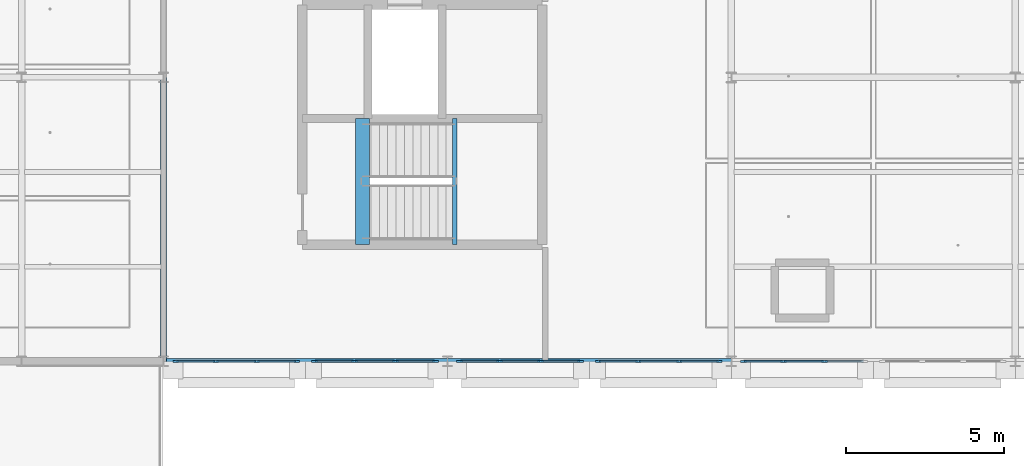
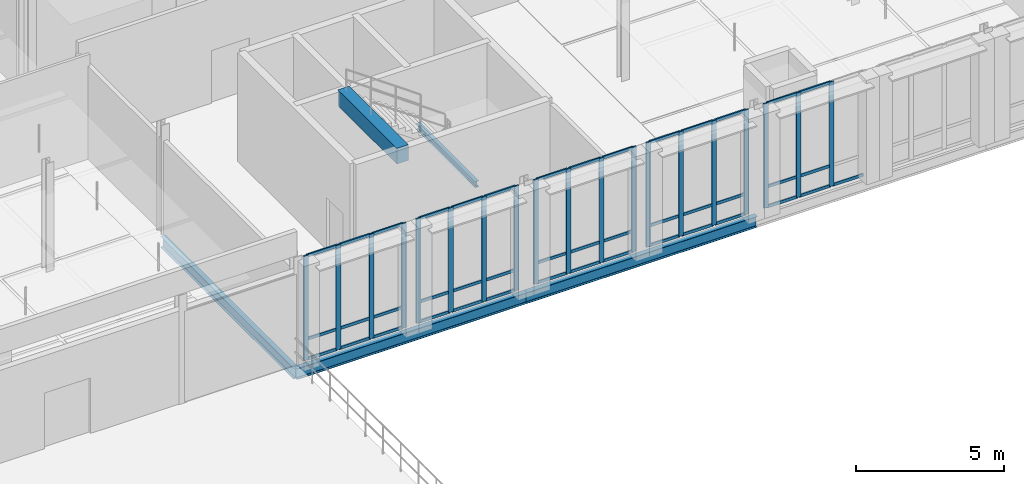
# One storey, part 25 of 89: 62 members, 5 beams, 5 elements without a shape of their own.
"""IFC4 building model written with IfcOpenShell, lengths in metres."""

from ifc_helpers import new_model, si_unit, direction, frame, origin, origin_2d, place, context, subcontext, project, spatial, rectangle, i_section, extrude, material, material_profile, profile_set, type_object, element, aggregate, save


model = new_model("IFC4")

# Units and contexts
model_context = context("Model", 3, precision=1e-05, world=origin(), true_north=direction((0.0, 1.0)))
body_context = subcontext(model_context, "Body", "Model", "MODEL_VIEW")
ifc_project = project(units=[si_unit("LENGTHUNIT", "METRE"), si_unit("AREAUNIT", "SQUARE_METRE"), si_unit("VOLUMEUNIT", "CUBIC_METRE"), si_unit("PLANEANGLEUNIT", "RADIAN"), si_unit("MASSUNIT", "GRAM", prefix="KILO"), si_unit("THERMODYNAMICTEMPERATUREUNIT", "KELVIN"), si_unit("POWERUNIT", "WATT")], contexts=[model_context])

# Site, building, storey
site_placement = place(None, origin())
site = spatial("IfcSite", under=ifc_project, at=site_placement, CompositionType="ELEMENT")
building_placement = place(site_placement, origin())
building = spatial("IfcBuilding", under=site, at=building_placement, Name="Tallowbark Science Centre", CompositionType="ELEMENT")
storey_placement = place(building_placement, frame((0.0, 0.0, 14.39990234375)))
storey = spatial("IfcBuildingStorey", under=building, at=storey_placement, Name="L03", CompositionType="ELEMENT", Elevation=14.39990234375)

# Beam
ifc_material_1 = material(Name="Concrete Grade N40 (40 MPa)", Category="concrete")
ifc_material_profile_1 = material_profile(ifc_material_1, rectangle(XDim=0.449951171875, YDim=0.64990234375, at=origin_2d()), Name="RC450x650")
ifc_profile_set_1 = profile_set([ifc_material_profile_1], Name="Concrete Grade N40 (40 MPa)")
beam_type_1 = type_object("IfcBeamType", Name="BM-GB2-N40", PredefinedType="BEAM", material=ifc_profile_set_1)
beam_1_placement = place(storey_placement, frame((118.81005859375, 75.699951171875, 4.175048828125), z_axis=(0.0, 1.0, 0.0), x_axis=(-1.0, 0.0, 0.0)))
element("IfcBeam", 1, at=beam_1_placement, inside=storey, type_object=beam_type_1, Name="Stair ST-02 Landing Nosing Beam L03", PredefinedType="BEAM", context=body_context, shape_type="SweptSolid", body=[
    extrude(rectangle(XDim=0.449951171875, YDim=0.64990234375, at=origin_2d()), origin(), (0.0, 0.0, 1.0), 3.9951171875),
])

# Curtain wall, members
ifc_material_2 = material(Name="Unitised Thermally Broken Aluminium and Low-E Double Glazing", Category="aluminium")
curtain_wall_type = type_object("IfcCurtainWallType", Name="CW-SYS-FACADE", PredefinedType="NOTDEFINED", material=ifc_material_2)
curtain_wall_1_placement = place(storey_placement, origin())
curtain_wall_1 = element("IfcCurtainWall", 2, at=curtain_wall_1_placement, inside=storey, type_object=curtain_wall_type, Name="Unitised Curtain Wall OBS-S-112A CW-L03-164", PredefinedType="NOTDEFINED")
ifc_material_3 = material(Name="Anodised Architectural Aluminium Alloy 6063-T6", Category="aluminium")
ifc_material_profile_2 = material_profile(ifc_material_3, rectangle(XDim=0.06494140625, YDim=0.179931640625, at=origin_2d()), Name="ALU65x180")
ifc_profile_set_2 = profile_set([ifc_material_profile_2], Name="Anodised Architectural Aluminium Alloy 6063-T6")
member_type_1 = type_object("IfcMemberType", Name="CWM-MUL-220", PredefinedType="MULLION", material=ifc_profile_set_2)
member_1_placement = place(storey_placement, frame((112.882568359375, 72.0, 0.0), z_axis=(0.0, 0.0, 1.0), x_axis=(0.0, 1.0, 0.0)))
member_1 = element("IfcMember", 3, at=member_1_placement, type_object=member_type_1, Name="CW-01 mullion 1", PredefinedType="MULLION", context=body_context, shape_type="SweptSolid", body=[
    extrude(rectangle(XDim=0.06494140625, YDim=0.179931640625, at=origin_2d()), origin(), (0.0, 0.0, 1.0), 4.320068359375),
])
member_2_placement = place(storey_placement, frame((114.14990234375, 72.0, 0.0), z_axis=(0.0, 0.0, 1.0), x_axis=(0.0, 1.0, 0.0)))
member_2 = element("IfcMember", 4, at=member_2_placement, type_object=member_type_1, Name="CW-01 mullion 2", PredefinedType="MULLION", context=body_context, shape_type="SweptSolid", body=[
    extrude(rectangle(XDim=0.06494140625, YDim=0.179931640625, at=origin_2d()), origin(), (0.0, 0.0, 1.0), 4.320068359375),
])
member_3_placement = place(storey_placement, frame((115.449951171875, 72.0, 0.0), z_axis=(0.0, 0.0, 1.0), x_axis=(0.0, 1.0, 0.0)))
member_3 = element("IfcMember", 5, at=member_3_placement, type_object=member_type_1, Name="CW-01 mullion 3", PredefinedType="MULLION", context=body_context, shape_type="SweptSolid", body=[
    extrude(rectangle(XDim=0.06494140625, YDim=0.179931640625, at=origin_2d()), origin(), (0.0, 0.0, 1.0), 4.320068359375),
])
member_4_placement = place(storey_placement, frame((116.717529296875, 72.0, 0.0), z_axis=(0.0, 0.0, 1.0), x_axis=(0.0, 1.0, 0.0)))
member_4 = element("IfcMember", 6, at=member_4_placement, type_object=member_type_1, Name="CW-01 mullion 4", PredefinedType="MULLION", context=body_context, shape_type="SweptSolid", body=[
    extrude(rectangle(XDim=0.06494140625, YDim=0.179931640625, at=origin_2d()), origin(), (0.0, 0.0, 1.0), 4.320068359375),
])

curtain_wall_2_placement = place(storey_placement, origin())
curtain_wall_2 = element("IfcCurtainWall", 7, at=curtain_wall_2_placement, inside=storey, type_object=curtain_wall_type, Name="Unitised Curtain Wall OBS-S-112B CW-L03-165", PredefinedType="NOTDEFINED")
member_5_placement = place(storey_placement, frame((117.282470703125, 72.0, 0.0), z_axis=(0.0, 0.0, 1.0), x_axis=(0.0, 1.0, 0.0)))
member_5 = element("IfcMember", 8, at=member_5_placement, type_object=member_type_1, Name="CW-01 mullion 1", PredefinedType="MULLION", context=body_context, shape_type="SweptSolid", body=[
    extrude(rectangle(XDim=0.06494140625, YDim=0.179931640625, at=origin_2d()), origin(), (0.0, 0.0, 1.0), 4.320068359375),
])
member_6_placement = place(storey_placement, frame((118.550048828125, 72.0, 0.0), z_axis=(0.0, 0.0, 1.0), x_axis=(0.0, 1.0, 0.0)))
member_6 = element("IfcMember", 9, at=member_6_placement, type_object=member_type_1, Name="CW-01 mullion 2", PredefinedType="MULLION", context=body_context, shape_type="SweptSolid", body=[
    extrude(rectangle(XDim=0.06494140625, YDim=0.179931640625, at=origin_2d()), origin(), (0.0, 0.0, 1.0), 4.320068359375),
])
member_7_placement = place(storey_placement, frame((119.85009765625, 72.0, 0.0), z_axis=(0.0, 0.0, 1.0), x_axis=(0.0, 1.0, 0.0)))
member_7 = element("IfcMember", 10, at=member_7_placement, type_object=member_type_1, Name="CW-01 mullion 3", PredefinedType="MULLION", context=body_context, shape_type="SweptSolid", body=[
    extrude(rectangle(XDim=0.06494140625, YDim=0.179931640625, at=origin_2d()), origin(), (0.0, 0.0, 1.0), 4.320068359375),
])
member_8_placement = place(storey_placement, frame((121.117431640625, 72.0, 0.0), z_axis=(0.0, 0.0, 1.0), x_axis=(0.0, 1.0, 0.0)))
member_8 = element("IfcMember", 11, at=member_8_placement, type_object=member_type_1, Name="CW-01 mullion 4", PredefinedType="MULLION", context=body_context, shape_type="SweptSolid", body=[
    extrude(rectangle(XDim=0.06494140625, YDim=0.179931640625, at=origin_2d()), origin(), (0.0, 0.0, 1.0), 4.320068359375),
])

curtain_wall_3_placement = place(storey_placement, origin())
curtain_wall_3 = element("IfcCurtainWall", 12, at=curtain_wall_3_placement, inside=storey, type_object=curtain_wall_type, Name="Unitised Curtain Wall OBS-S-121A CW-L03-168", PredefinedType="NOTDEFINED")
member_9_placement = place(storey_placement, frame((121.882568359375, 72.0, 0.0), z_axis=(0.0, 0.0, 1.0), x_axis=(0.0, 1.0, 0.0)))
member_9 = element("IfcMember", 13, at=member_9_placement, type_object=member_type_1, Name="CW-01 mullion 1", PredefinedType="MULLION", context=body_context, shape_type="SweptSolid", body=[
    extrude(rectangle(XDim=0.06494140625, YDim=0.179931640625, at=origin_2d()), origin(), (0.0, 0.0, 1.0), 4.320068359375),
])
member_10_placement = place(storey_placement, frame((123.14990234375, 72.0, 0.0), z_axis=(0.0, 0.0, 1.0), x_axis=(0.0, 1.0, 0.0)))
member_10 = element("IfcMember", 14, at=member_10_placement, type_object=member_type_1, Name="CW-01 mullion 2", PredefinedType="MULLION", context=body_context, shape_type="SweptSolid", body=[
    extrude(rectangle(XDim=0.06494140625, YDim=0.179931640625, at=origin_2d()), origin(), (0.0, 0.0, 1.0), 4.320068359375),
])
member_11_placement = place(storey_placement, frame((124.449951171875, 72.0, 0.0), z_axis=(0.0, 0.0, 1.0), x_axis=(0.0, 1.0, 0.0)))
member_11 = element("IfcMember", 15, at=member_11_placement, type_object=member_type_1, Name="CW-01 mullion 3", PredefinedType="MULLION", context=body_context, shape_type="SweptSolid", body=[
    extrude(rectangle(XDim=0.06494140625, YDim=0.179931640625, at=origin_2d()), origin(), (0.0, 0.0, 1.0), 4.320068359375),
])
member_12_placement = place(storey_placement, frame((125.717529296875, 72.0, 0.0), z_axis=(0.0, 0.0, 1.0), x_axis=(0.0, 1.0, 0.0)))
member_12 = element("IfcMember", 16, at=member_12_placement, type_object=member_type_1, Name="CW-01 mullion 4", PredefinedType="MULLION", context=body_context, shape_type="SweptSolid", body=[
    extrude(rectangle(XDim=0.06494140625, YDim=0.179931640625, at=origin_2d()), origin(), (0.0, 0.0, 1.0), 4.320068359375),
])

curtain_wall_4_placement = place(storey_placement, origin())
curtain_wall_4 = element("IfcCurtainWall", 17, at=curtain_wall_4_placement, inside=storey, type_object=curtain_wall_type, Name="Unitised Curtain Wall OBS-S-121B CW-L03-169", PredefinedType="NOTDEFINED")
member_13_placement = place(storey_placement, frame((126.282470703125, 72.0, 0.0), z_axis=(0.0, 0.0, 1.0), x_axis=(0.0, 1.0, 0.0)))
member_13 = element("IfcMember", 18, at=member_13_placement, type_object=member_type_1, Name="CW-01 mullion 1", PredefinedType="MULLION", context=body_context, shape_type="SweptSolid", body=[
    extrude(rectangle(XDim=0.06494140625, YDim=0.179931640625, at=origin_2d()), origin(), (0.0, 0.0, 1.0), 4.320068359375),
])
member_14_placement = place(storey_placement, frame((127.550048828125, 72.0, 0.0), z_axis=(0.0, 0.0, 1.0), x_axis=(0.0, 1.0, 0.0)))
member_14 = element("IfcMember", 19, at=member_14_placement, type_object=member_type_1, Name="CW-01 mullion 2", PredefinedType="MULLION", context=body_context, shape_type="SweptSolid", body=[
    extrude(rectangle(XDim=0.06494140625, YDim=0.179931640625, at=origin_2d()), origin(), (0.0, 0.0, 1.0), 4.320068359375),
])
member_15_placement = place(storey_placement, frame((128.85009765625, 72.0, 0.0), z_axis=(0.0, 0.0, 1.0), x_axis=(0.0, 1.0, 0.0)))
member_15 = element("IfcMember", 20, at=member_15_placement, type_object=member_type_1, Name="CW-01 mullion 3", PredefinedType="MULLION", context=body_context, shape_type="SweptSolid", body=[
    extrude(rectangle(XDim=0.06494140625, YDim=0.179931640625, at=origin_2d()), origin(), (0.0, 0.0, 1.0), 4.320068359375),
])
member_16_placement = place(storey_placement, frame((130.117431640625, 72.0, 0.0), z_axis=(0.0, 0.0, 1.0), x_axis=(0.0, 1.0, 0.0)))
member_16 = element("IfcMember", 21, at=member_16_placement, type_object=member_type_1, Name="CW-01 mullion 4", PredefinedType="MULLION", context=body_context, shape_type="SweptSolid", body=[
    extrude(rectangle(XDim=0.06494140625, YDim=0.179931640625, at=origin_2d()), origin(), (0.0, 0.0, 1.0), 4.320068359375),
])

curtain_wall_5_placement = place(storey_placement, origin())
curtain_wall_5 = element("IfcCurtainWall", 22, at=curtain_wall_5_placement, inside=storey, type_object=curtain_wall_type, Name="Unitised Curtain Wall OBS-S-130A CW-L03-172", PredefinedType="NOTDEFINED")
member_17_placement = place(storey_placement, frame((130.882568359375, 72.0, 0.0), z_axis=(0.0, 0.0, 1.0), x_axis=(0.0, 1.0, 0.0)))
member_17 = element("IfcMember", 23, at=member_17_placement, type_object=member_type_1, Name="CW-01 mullion 1", PredefinedType="MULLION", context=body_context, shape_type="SweptSolid", body=[
    extrude(rectangle(XDim=0.06494140625, YDim=0.179931640625, at=origin_2d()), origin(), (0.0, 0.0, 1.0), 4.320068359375),
])
member_18_placement = place(storey_placement, frame((132.14990234375, 72.0, 0.0), z_axis=(0.0, 0.0, 1.0), x_axis=(0.0, 1.0, 0.0)))
member_18 = element("IfcMember", 24, at=member_18_placement, type_object=member_type_1, Name="CW-01 mullion 2", PredefinedType="MULLION", context=body_context, shape_type="SweptSolid", body=[
    extrude(rectangle(XDim=0.06494140625, YDim=0.179931640625, at=origin_2d()), origin(), (0.0, 0.0, 1.0), 4.320068359375),
])
member_19_placement = place(storey_placement, frame((133.449951171875, 72.0, 0.0), z_axis=(0.0, 0.0, 1.0), x_axis=(0.0, 1.0, 0.0)))
member_19 = element("IfcMember", 25, at=member_19_placement, type_object=member_type_1, Name="CW-01 mullion 3", PredefinedType="MULLION", context=body_context, shape_type="SweptSolid", body=[
    extrude(rectangle(XDim=0.06494140625, YDim=0.179931640625, at=origin_2d()), origin(), (0.0, 0.0, 1.0), 4.320068359375),
])

# Member
ifc_material_profile_3 = material_profile(ifc_material_3, rectangle(XDim=0.054931640625, YDim=0.1201171875, at=origin_2d()), Name="ALU55x120")
ifc_profile_set_3 = profile_set([ifc_material_profile_3], Name="Anodised Architectural Aluminium Alloy 6063-T6")
member_type_2 = type_object("IfcMemberType", Name="CWM-TRN-150", PredefinedType="USERDEFINED", material=ifc_profile_set_3)
member_20_placement = place(storey_placement, frame((112.9150390625, 72.0, 0.027587890625), z_axis=(1.0, 0.0, 0.0), x_axis=(0.0, 1.0, 0.0)))
member_20 = element("IfcMember", 26, at=member_20_placement, type_object=member_type_2, Name="CW-01 transom 1.1", ObjectType="TRANSOM", PredefinedType="USERDEFINED", context=body_context, shape_type="SweptSolid", body=[
    extrude(rectangle(XDim=0.054931640625, YDim=0.1201171875, at=origin_2d()), origin(), (0.0, 0.0, 1.0), 1.202392578125),
])

member_21_placement = place(storey_placement, frame((112.9150390625, 72.0, 0.85009765625), z_axis=(1.0, 0.0, 0.0), x_axis=(0.0, 1.0, 0.0)))
member_21 = element("IfcMember", 27, at=member_21_placement, type_object=member_type_2, Name="CW-01 transom 1.2", ObjectType="TRANSOM", PredefinedType="USERDEFINED", context=body_context, shape_type="SweptSolid", body=[
    extrude(rectangle(XDim=0.054931640625, YDim=0.1201171875, at=origin_2d()), origin(), (0.0, 0.0, 1.0), 1.202392578125),
])

member_22_placement = place(storey_placement, frame((112.9150390625, 72.0, 4.29248046875), z_axis=(1.0, 0.0, 0.0), x_axis=(0.0, 1.0, 0.0)))
member_22 = element("IfcMember", 28, at=member_22_placement, type_object=member_type_2, Name="CW-01 transom 1.3", ObjectType="TRANSOM", PredefinedType="USERDEFINED", context=body_context, shape_type="SweptSolid", body=[
    extrude(rectangle(XDim=0.054931640625, YDim=0.1201171875, at=origin_2d()), origin(), (0.0, 0.0, 1.0), 1.202392578125),
])

member_23_placement = place(storey_placement, frame((114.1826171875, 72.0, 0.027587890625), z_axis=(1.0, 0.0, 0.0), x_axis=(0.0, 1.0, 0.0)))
member_23 = element("IfcMember", 29, at=member_23_placement, type_object=member_type_2, Name="CW-01 transom 2.1", ObjectType="TRANSOM", PredefinedType="USERDEFINED", context=body_context, shape_type="SweptSolid", body=[
    extrude(rectangle(XDim=0.054931640625, YDim=0.1201171875, at=origin_2d()), origin(), (0.0, 0.0, 1.0), 1.23486328125),
])

member_24_placement = place(storey_placement, frame((114.1826171875, 72.0, 0.85009765625), z_axis=(1.0, 0.0, 0.0), x_axis=(0.0, 1.0, 0.0)))
member_24 = element("IfcMember", 30, at=member_24_placement, type_object=member_type_2, Name="CW-01 transom 2.2", ObjectType="TRANSOM", PredefinedType="USERDEFINED", context=body_context, shape_type="SweptSolid", body=[
    extrude(rectangle(XDim=0.054931640625, YDim=0.1201171875, at=origin_2d()), origin(), (0.0, 0.0, 1.0), 1.23486328125),
])

member_25_placement = place(storey_placement, frame((114.1826171875, 72.0, 4.29248046875), z_axis=(1.0, 0.0, 0.0), x_axis=(0.0, 1.0, 0.0)))
member_25 = element("IfcMember", 31, at=member_25_placement, type_object=member_type_2, Name="CW-01 transom 2.3", ObjectType="TRANSOM", PredefinedType="USERDEFINED", context=body_context, shape_type="SweptSolid", body=[
    extrude(rectangle(XDim=0.054931640625, YDim=0.1201171875, at=origin_2d()), origin(), (0.0, 0.0, 1.0), 1.23486328125),
])

member_26_placement = place(storey_placement, frame((115.482421875, 72.0, 0.027587890625), z_axis=(1.0, 0.0, 0.0), x_axis=(0.0, 1.0, 0.0)))
member_26 = element("IfcMember", 32, at=member_26_placement, type_object=member_type_2, Name="CW-01 transom 3.1", ObjectType="TRANSOM", PredefinedType="USERDEFINED", context=body_context, shape_type="SweptSolid", body=[
    extrude(rectangle(XDim=0.054931640625, YDim=0.1201171875, at=origin_2d()), origin(), (0.0, 0.0, 1.0), 1.20263671875),
])

member_27_placement = place(storey_placement, frame((115.482421875, 72.0, 0.85009765625), z_axis=(1.0, 0.0, 0.0), x_axis=(0.0, 1.0, 0.0)))
member_27 = element("IfcMember", 33, at=member_27_placement, type_object=member_type_2, Name="CW-01 transom 3.2", ObjectType="TRANSOM", PredefinedType="USERDEFINED", context=body_context, shape_type="SweptSolid", body=[
    extrude(rectangle(XDim=0.054931640625, YDim=0.1201171875, at=origin_2d()), origin(), (0.0, 0.0, 1.0), 1.20263671875),
])

member_28_placement = place(storey_placement, frame((115.482421875, 72.0, 4.29248046875), z_axis=(1.0, 0.0, 0.0), x_axis=(0.0, 1.0, 0.0)))
member_28 = element("IfcMember", 34, at=member_28_placement, type_object=member_type_2, Name="CW-01 transom 3.3", ObjectType="TRANSOM", PredefinedType="USERDEFINED", context=body_context, shape_type="SweptSolid", body=[
    extrude(rectangle(XDim=0.054931640625, YDim=0.1201171875, at=origin_2d()), origin(), (0.0, 0.0, 1.0), 1.20263671875),
])

aggregate(curtain_wall_1, [member_1, member_2, member_3, member_4, member_20, member_21, member_22, member_23, member_24, member_25, member_26, member_27, member_28])

member_29_placement = place(storey_placement, frame((117.31494140625, 72.0, 0.027587890625), z_axis=(1.0, 0.0, 0.0), x_axis=(0.0, 1.0, 0.0)))
member_29 = element("IfcMember", 35, at=member_29_placement, type_object=member_type_2, Name="CW-01 transom 1.1", ObjectType="TRANSOM", PredefinedType="USERDEFINED", context=body_context, shape_type="SweptSolid", body=[
    extrude(rectangle(XDim=0.054931640625, YDim=0.1201171875, at=origin_2d()), origin(), (0.0, 0.0, 1.0), 1.20263671875),
])

member_30_placement = place(storey_placement, frame((117.31494140625, 72.0, 0.85009765625), z_axis=(1.0, 0.0, 0.0), x_axis=(0.0, 1.0, 0.0)))
member_30 = element("IfcMember", 36, at=member_30_placement, type_object=member_type_2, Name="CW-01 transom 1.2", ObjectType="TRANSOM", PredefinedType="USERDEFINED", context=body_context, shape_type="SweptSolid", body=[
    extrude(rectangle(XDim=0.054931640625, YDim=0.1201171875, at=origin_2d()), origin(), (0.0, 0.0, 1.0), 1.20263671875),
])

member_31_placement = place(storey_placement, frame((117.31494140625, 72.0, 4.29248046875), z_axis=(1.0, 0.0, 0.0), x_axis=(0.0, 1.0, 0.0)))
member_31 = element("IfcMember", 37, at=member_31_placement, type_object=member_type_2, Name="CW-01 transom 1.3", ObjectType="TRANSOM", PredefinedType="USERDEFINED", context=body_context, shape_type="SweptSolid", body=[
    extrude(rectangle(XDim=0.054931640625, YDim=0.1201171875, at=origin_2d()), origin(), (0.0, 0.0, 1.0), 1.20263671875),
])

member_32_placement = place(storey_placement, frame((118.58251953125, 72.0, 0.027587890625), z_axis=(1.0, 0.0, 0.0), x_axis=(0.0, 1.0, 0.0)))
member_32 = element("IfcMember", 38, at=member_32_placement, type_object=member_type_2, Name="CW-01 transom 2.1", ObjectType="TRANSOM", PredefinedType="USERDEFINED", context=body_context, shape_type="SweptSolid", body=[
    extrude(rectangle(XDim=0.054931640625, YDim=0.1201171875, at=origin_2d()), origin(), (0.0, 0.0, 1.0), 1.23486328125),
])

member_33_placement = place(storey_placement, frame((118.58251953125, 72.0, 0.85009765625), z_axis=(1.0, 0.0, 0.0), x_axis=(0.0, 1.0, 0.0)))
member_33 = element("IfcMember", 39, at=member_33_placement, type_object=member_type_2, Name="CW-01 transom 2.2", ObjectType="TRANSOM", PredefinedType="USERDEFINED", context=body_context, shape_type="SweptSolid", body=[
    extrude(rectangle(XDim=0.054931640625, YDim=0.1201171875, at=origin_2d()), origin(), (0.0, 0.0, 1.0), 1.23486328125),
])

member_34_placement = place(storey_placement, frame((118.58251953125, 72.0, 4.29248046875), z_axis=(1.0, 0.0, 0.0), x_axis=(0.0, 1.0, 0.0)))
member_34 = element("IfcMember", 40, at=member_34_placement, type_object=member_type_2, Name="CW-01 transom 2.3", ObjectType="TRANSOM", PredefinedType="USERDEFINED", context=body_context, shape_type="SweptSolid", body=[
    extrude(rectangle(XDim=0.054931640625, YDim=0.1201171875, at=origin_2d()), origin(), (0.0, 0.0, 1.0), 1.23486328125),
])

member_35_placement = place(storey_placement, frame((119.882568359375, 72.0, 0.027587890625), z_axis=(1.0, 0.0, 0.0), x_axis=(0.0, 1.0, 0.0)))
member_35 = element("IfcMember", 41, at=member_35_placement, type_object=member_type_2, Name="CW-01 transom 3.1", ObjectType="TRANSOM", PredefinedType="USERDEFINED", context=body_context, shape_type="SweptSolid", body=[
    extrude(rectangle(XDim=0.054931640625, YDim=0.1201171875, at=origin_2d()), origin(), (0.0, 0.0, 1.0), 1.202392578125),
])

member_36_placement = place(storey_placement, frame((119.882568359375, 72.0, 0.85009765625), z_axis=(1.0, 0.0, 0.0), x_axis=(0.0, 1.0, 0.0)))
member_36 = element("IfcMember", 42, at=member_36_placement, type_object=member_type_2, Name="CW-01 transom 3.2", ObjectType="TRANSOM", PredefinedType="USERDEFINED", context=body_context, shape_type="SweptSolid", body=[
    extrude(rectangle(XDim=0.054931640625, YDim=0.1201171875, at=origin_2d()), origin(), (0.0, 0.0, 1.0), 1.202392578125),
])

member_37_placement = place(storey_placement, frame((119.882568359375, 72.0, 4.29248046875), z_axis=(1.0, 0.0, 0.0), x_axis=(0.0, 1.0, 0.0)))
member_37 = element("IfcMember", 43, at=member_37_placement, type_object=member_type_2, Name="CW-01 transom 3.3", ObjectType="TRANSOM", PredefinedType="USERDEFINED", context=body_context, shape_type="SweptSolid", body=[
    extrude(rectangle(XDim=0.054931640625, YDim=0.1201171875, at=origin_2d()), origin(), (0.0, 0.0, 1.0), 1.202392578125),
])

aggregate(curtain_wall_2, [member_5, member_6, member_7, member_8, member_29, member_30, member_31, member_32, member_33, member_34, member_35, member_36, member_37])

member_38_placement = place(storey_placement, frame((121.9150390625, 72.0, 0.027587890625), z_axis=(1.0, 0.0, 0.0), x_axis=(0.0, 1.0, 0.0)))
member_38 = element("IfcMember", 44, at=member_38_placement, type_object=member_type_2, Name="CW-01 transom 1.1", ObjectType="TRANSOM", PredefinedType="USERDEFINED", context=body_context, shape_type="SweptSolid", body=[
    extrude(rectangle(XDim=0.054931640625, YDim=0.1201171875, at=origin_2d()), origin(), (0.0, 0.0, 1.0), 1.202392578125),
])

member_39_placement = place(storey_placement, frame((121.9150390625, 72.0, 0.85009765625), z_axis=(1.0, 0.0, 0.0), x_axis=(0.0, 1.0, 0.0)))
member_39 = element("IfcMember", 45, at=member_39_placement, type_object=member_type_2, Name="CW-01 transom 1.2", ObjectType="TRANSOM", PredefinedType="USERDEFINED", context=body_context, shape_type="SweptSolid", body=[
    extrude(rectangle(XDim=0.054931640625, YDim=0.1201171875, at=origin_2d()), origin(), (0.0, 0.0, 1.0), 1.202392578125),
])

member_40_placement = place(storey_placement, frame((121.9150390625, 72.0, 4.29248046875), z_axis=(1.0, 0.0, 0.0), x_axis=(0.0, 1.0, 0.0)))
member_40 = element("IfcMember", 46, at=member_40_placement, type_object=member_type_2, Name="CW-01 transom 1.3", ObjectType="TRANSOM", PredefinedType="USERDEFINED", context=body_context, shape_type="SweptSolid", body=[
    extrude(rectangle(XDim=0.054931640625, YDim=0.1201171875, at=origin_2d()), origin(), (0.0, 0.0, 1.0), 1.202392578125),
])

member_41_placement = place(storey_placement, frame((123.1826171875, 72.0, 0.027587890625), z_axis=(1.0, 0.0, 0.0), x_axis=(0.0, 1.0, 0.0)))
member_41 = element("IfcMember", 47, at=member_41_placement, type_object=member_type_2, Name="CW-01 transom 2.1", ObjectType="TRANSOM", PredefinedType="USERDEFINED", context=body_context, shape_type="SweptSolid", body=[
    extrude(rectangle(XDim=0.054931640625, YDim=0.1201171875, at=origin_2d()), origin(), (0.0, 0.0, 1.0), 1.23486328125),
])

member_42_placement = place(storey_placement, frame((123.1826171875, 72.0, 0.85009765625), z_axis=(1.0, 0.0, 0.0), x_axis=(0.0, 1.0, 0.0)))
member_42 = element("IfcMember", 48, at=member_42_placement, type_object=member_type_2, Name="CW-01 transom 2.2", ObjectType="TRANSOM", PredefinedType="USERDEFINED", context=body_context, shape_type="SweptSolid", body=[
    extrude(rectangle(XDim=0.054931640625, YDim=0.1201171875, at=origin_2d()), origin(), (0.0, 0.0, 1.0), 1.23486328125),
])

member_43_placement = place(storey_placement, frame((123.1826171875, 72.0, 4.29248046875), z_axis=(1.0, 0.0, 0.0), x_axis=(0.0, 1.0, 0.0)))
member_43 = element("IfcMember", 49, at=member_43_placement, type_object=member_type_2, Name="CW-01 transom 2.3", ObjectType="TRANSOM", PredefinedType="USERDEFINED", context=body_context, shape_type="SweptSolid", body=[
    extrude(rectangle(XDim=0.054931640625, YDim=0.1201171875, at=origin_2d()), origin(), (0.0, 0.0, 1.0), 1.23486328125),
])

member_44_placement = place(storey_placement, frame((124.482421875, 72.0, 0.027587890625), z_axis=(1.0, 0.0, 0.0), x_axis=(0.0, 1.0, 0.0)))
member_44 = element("IfcMember", 50, at=member_44_placement, type_object=member_type_2, Name="CW-01 transom 3.1", ObjectType="TRANSOM", PredefinedType="USERDEFINED", context=body_context, shape_type="SweptSolid", body=[
    extrude(rectangle(XDim=0.054931640625, YDim=0.1201171875, at=origin_2d()), origin(), (0.0, 0.0, 1.0), 1.20263671875),
])

member_45_placement = place(storey_placement, frame((124.482421875, 72.0, 0.85009765625), z_axis=(1.0, 0.0, 0.0), x_axis=(0.0, 1.0, 0.0)))
member_45 = element("IfcMember", 51, at=member_45_placement, type_object=member_type_2, Name="CW-01 transom 3.2", ObjectType="TRANSOM", PredefinedType="USERDEFINED", context=body_context, shape_type="SweptSolid", body=[
    extrude(rectangle(XDim=0.054931640625, YDim=0.1201171875, at=origin_2d()), origin(), (0.0, 0.0, 1.0), 1.20263671875),
])

member_46_placement = place(storey_placement, frame((124.482421875, 72.0, 4.29248046875), z_axis=(1.0, 0.0, 0.0), x_axis=(0.0, 1.0, 0.0)))
member_46 = element("IfcMember", 52, at=member_46_placement, type_object=member_type_2, Name="CW-01 transom 3.3", ObjectType="TRANSOM", PredefinedType="USERDEFINED", context=body_context, shape_type="SweptSolid", body=[
    extrude(rectangle(XDim=0.054931640625, YDim=0.1201171875, at=origin_2d()), origin(), (0.0, 0.0, 1.0), 1.20263671875),
])

aggregate(curtain_wall_3, [member_9, member_10, member_11, member_12, member_38, member_39, member_40, member_41, member_42, member_43, member_44, member_45, member_46])

member_47_placement = place(storey_placement, frame((126.31494140625, 72.0, 0.027587890625), z_axis=(1.0, 0.0, 0.0), x_axis=(0.0, 1.0, 0.0)))
member_47 = element("IfcMember", 53, at=member_47_placement, type_object=member_type_2, Name="CW-01 transom 1.1", ObjectType="TRANSOM", PredefinedType="USERDEFINED", context=body_context, shape_type="SweptSolid", body=[
    extrude(rectangle(XDim=0.054931640625, YDim=0.1201171875, at=origin_2d()), origin(), (0.0, 0.0, 1.0), 1.20263671875),
])

member_48_placement = place(storey_placement, frame((126.31494140625, 72.0, 0.85009765625), z_axis=(1.0, 0.0, 0.0), x_axis=(0.0, 1.0, 0.0)))
member_48 = element("IfcMember", 54, at=member_48_placement, type_object=member_type_2, Name="CW-01 transom 1.2", ObjectType="TRANSOM", PredefinedType="USERDEFINED", context=body_context, shape_type="SweptSolid", body=[
    extrude(rectangle(XDim=0.054931640625, YDim=0.1201171875, at=origin_2d()), origin(), (0.0, 0.0, 1.0), 1.20263671875),
])

member_49_placement = place(storey_placement, frame((126.31494140625, 72.0, 4.29248046875), z_axis=(1.0, 0.0, 0.0), x_axis=(0.0, 1.0, 0.0)))
member_49 = element("IfcMember", 55, at=member_49_placement, type_object=member_type_2, Name="CW-01 transom 1.3", ObjectType="TRANSOM", PredefinedType="USERDEFINED", context=body_context, shape_type="SweptSolid", body=[
    extrude(rectangle(XDim=0.054931640625, YDim=0.1201171875, at=origin_2d()), origin(), (0.0, 0.0, 1.0), 1.20263671875),
])

member_50_placement = place(storey_placement, frame((127.58251953125, 72.0, 0.027587890625), z_axis=(1.0, 0.0, 0.0), x_axis=(0.0, 1.0, 0.0)))
member_50 = element("IfcMember", 56, at=member_50_placement, type_object=member_type_2, Name="CW-01 transom 2.1", ObjectType="TRANSOM", PredefinedType="USERDEFINED", context=body_context, shape_type="SweptSolid", body=[
    extrude(rectangle(XDim=0.054931640625, YDim=0.1201171875, at=origin_2d()), origin(), (0.0, 0.0, 1.0), 1.23486328125),
])

member_51_placement = place(storey_placement, frame((127.58251953125, 72.0, 0.85009765625), z_axis=(1.0, 0.0, 0.0), x_axis=(0.0, 1.0, 0.0)))
member_51 = element("IfcMember", 57, at=member_51_placement, type_object=member_type_2, Name="CW-01 transom 2.2", ObjectType="TRANSOM", PredefinedType="USERDEFINED", context=body_context, shape_type="SweptSolid", body=[
    extrude(rectangle(XDim=0.054931640625, YDim=0.1201171875, at=origin_2d()), origin(), (0.0, 0.0, 1.0), 1.23486328125),
])

member_52_placement = place(storey_placement, frame((127.58251953125, 72.0, 4.29248046875), z_axis=(1.0, 0.0, 0.0), x_axis=(0.0, 1.0, 0.0)))
member_52 = element("IfcMember", 58, at=member_52_placement, type_object=member_type_2, Name="CW-01 transom 2.3", ObjectType="TRANSOM", PredefinedType="USERDEFINED", context=body_context, shape_type="SweptSolid", body=[
    extrude(rectangle(XDim=0.054931640625, YDim=0.1201171875, at=origin_2d()), origin(), (0.0, 0.0, 1.0), 1.23486328125),
])

member_53_placement = place(storey_placement, frame((128.882568359375, 72.0, 0.027587890625), z_axis=(1.0, 0.0, 0.0), x_axis=(0.0, 1.0, 0.0)))
member_53 = element("IfcMember", 59, at=member_53_placement, type_object=member_type_2, Name="CW-01 transom 3.1", ObjectType="TRANSOM", PredefinedType="USERDEFINED", context=body_context, shape_type="SweptSolid", body=[
    extrude(rectangle(XDim=0.054931640625, YDim=0.1201171875, at=origin_2d()), origin(), (0.0, 0.0, 1.0), 1.202392578125),
])

member_54_placement = place(storey_placement, frame((128.882568359375, 72.0, 0.85009765625), z_axis=(1.0, 0.0, 0.0), x_axis=(0.0, 1.0, 0.0)))
member_54 = element("IfcMember", 60, at=member_54_placement, type_object=member_type_2, Name="CW-01 transom 3.2", ObjectType="TRANSOM", PredefinedType="USERDEFINED", context=body_context, shape_type="SweptSolid", body=[
    extrude(rectangle(XDim=0.054931640625, YDim=0.1201171875, at=origin_2d()), origin(), (0.0, 0.0, 1.0), 1.202392578125),
])

member_55_placement = place(storey_placement, frame((128.882568359375, 72.0, 4.29248046875), z_axis=(1.0, 0.0, 0.0), x_axis=(0.0, 1.0, 0.0)))
member_55 = element("IfcMember", 61, at=member_55_placement, type_object=member_type_2, Name="CW-01 transom 3.3", ObjectType="TRANSOM", PredefinedType="USERDEFINED", context=body_context, shape_type="SweptSolid", body=[
    extrude(rectangle(XDim=0.054931640625, YDim=0.1201171875, at=origin_2d()), origin(), (0.0, 0.0, 1.0), 1.202392578125),
])

aggregate(curtain_wall_4, [member_13, member_14, member_15, member_16, member_47, member_48, member_49, member_50, member_51, member_52, member_53, member_54, member_55])

member_56_placement = place(storey_placement, frame((130.9150390625, 72.0, 0.027587890625), z_axis=(1.0, 0.0, 0.0), x_axis=(0.0, 1.0, 0.0)))
member_56 = element("IfcMember", 62, at=member_56_placement, type_object=member_type_2, Name="CW-01 transom 1.1", ObjectType="TRANSOM", PredefinedType="USERDEFINED", context=body_context, shape_type="SweptSolid", body=[
    extrude(rectangle(XDim=0.054931640625, YDim=0.1201171875, at=origin_2d()), origin(), (0.0, 0.0, 1.0), 1.202392578125),
])

member_57_placement = place(storey_placement, frame((130.9150390625, 72.0, 0.85009765625), z_axis=(1.0, 0.0, 0.0), x_axis=(0.0, 1.0, 0.0)))
member_57 = element("IfcMember", 63, at=member_57_placement, type_object=member_type_2, Name="CW-01 transom 1.2", ObjectType="TRANSOM", PredefinedType="USERDEFINED", context=body_context, shape_type="SweptSolid", body=[
    extrude(rectangle(XDim=0.054931640625, YDim=0.1201171875, at=origin_2d()), origin(), (0.0, 0.0, 1.0), 1.202392578125),
])

member_58_placement = place(storey_placement, frame((130.9150390625, 72.0, 4.29248046875), z_axis=(1.0, 0.0, 0.0), x_axis=(0.0, 1.0, 0.0)))
member_58 = element("IfcMember", 64, at=member_58_placement, type_object=member_type_2, Name="CW-01 transom 1.3", ObjectType="TRANSOM", PredefinedType="USERDEFINED", context=body_context, shape_type="SweptSolid", body=[
    extrude(rectangle(XDim=0.054931640625, YDim=0.1201171875, at=origin_2d()), origin(), (0.0, 0.0, 1.0), 1.202392578125),
])

member_59_placement = place(storey_placement, frame((132.1826171875, 72.0, 0.027587890625), z_axis=(1.0, 0.0, 0.0), x_axis=(0.0, 1.0, 0.0)))
member_59 = element("IfcMember", 65, at=member_59_placement, type_object=member_type_2, Name="CW-01 transom 2.1", ObjectType="TRANSOM", PredefinedType="USERDEFINED", context=body_context, shape_type="SweptSolid", body=[
    extrude(rectangle(XDim=0.054931640625, YDim=0.1201171875, at=origin_2d()), origin(), (0.0, 0.0, 1.0), 1.23486328125),
])

member_60_placement = place(storey_placement, frame((132.1826171875, 72.0, 0.85009765625), z_axis=(1.0, 0.0, 0.0), x_axis=(0.0, 1.0, 0.0)))
member_60 = element("IfcMember", 66, at=member_60_placement, type_object=member_type_2, Name="CW-01 transom 2.2", ObjectType="TRANSOM", PredefinedType="USERDEFINED", context=body_context, shape_type="SweptSolid", body=[
    extrude(rectangle(XDim=0.054931640625, YDim=0.1201171875, at=origin_2d()), origin(), (0.0, 0.0, 1.0), 1.23486328125),
])

member_61_placement = place(storey_placement, frame((132.1826171875, 72.0, 4.29248046875), z_axis=(1.0, 0.0, 0.0), x_axis=(0.0, 1.0, 0.0)))
member_61 = element("IfcMember", 67, at=member_61_placement, type_object=member_type_2, Name="CW-01 transom 2.3", ObjectType="TRANSOM", PredefinedType="USERDEFINED", context=body_context, shape_type="SweptSolid", body=[
    extrude(rectangle(XDim=0.054931640625, YDim=0.1201171875, at=origin_2d()), origin(), (0.0, 0.0, 1.0), 1.23486328125),
])

member_62_placement = place(storey_placement, frame((133.482421875, 72.0, 0.027587890625), z_axis=(1.0, 0.0, 0.0), x_axis=(0.0, 1.0, 0.0)))
member_62 = element("IfcMember", 68, at=member_62_placement, type_object=member_type_2, Name="CW-01 transom 3.1", ObjectType="TRANSOM", PredefinedType="USERDEFINED", context=body_context, shape_type="SweptSolid", body=[
    extrude(rectangle(XDim=0.054931640625, YDim=0.1201171875, at=origin_2d()), origin(), (0.0, 0.0, 1.0), 1.20263671875),
])

aggregate(curtain_wall_5, [member_17, member_18, member_19, member_56, member_57, member_58, member_59, member_60, member_61, member_62])

# Beams
ifc_material_4 = material(Name="Structural Steel Grade 300PLUS (300 MPa)", Category="steel")
ifc_material_profile_4 = material_profile(ifc_material_4, i_section(OverallWidth=0.146484375, OverallDepth=0.256103515625, WebThickness=0.00634765625, FlangeThickness=0.010986328125, FilletRadius=0.0087890625, at=origin_2d()), Name="250UB37.3")
ifc_profile_set_4 = profile_set([ifc_material_profile_4], Name="Structural Steel Grade 300PLUS (300 MPa)")
beam_type_2 = type_object("IfcBeamType", Name="JST-UB250", PredefinedType="JOIST", material=ifc_profile_set_4)
beam_2_placement = place(storey_placement, frame((121.72509765625, 75.699951171875, 1.922119140625), z_axis=(0.0, 1.0, 0.0), x_axis=(-1.0, 0.0, 0.0)))
element("IfcBeam", 69, at=beam_2_placement, inside=storey, type_object=beam_type_2, Name="Stair ST-02 Half-Landing Trimmer L03", PredefinedType="JOIST", context=body_context, shape_type="SweptSolid", body=[
    extrude(i_section(OverallWidth=0.146484375, OverallDepth=0.256103515625, WebThickness=0.00634765625, FlangeThickness=0.010986328125, FilletRadius=0.0087890625, at=origin_2d()), origin(), (0.0, 0.0, 1.0), 3.9951171875),
])
ifc_material_profile_5 = material_profile(ifc_material_4, i_section(OverallWidth=0.18994140625, OverallDepth=0.453857421875, WebThickness=0.008544921875, FlangeThickness=0.0126953125, FilletRadius=0.011474609375, at=origin_2d()), Name="460UB67.1")
ifc_profile_set_5 = profile_set([ifc_material_profile_5], Name="Structural Steel Grade 300PLUS (300 MPa)")
beam_type_3 = type_object("IfcBeamType", Name="SPN-UB460", PredefinedType="SPANDREL", material=ifc_profile_set_5)
for number, where, z_axis, x_axis, name in (
    (70, (112.5, 72.0, -0.40673828125), (1.0, 0.0, 0.0), (0.0, 1.0, 0.0), "Primary Girder GRDX-L03-1125-1215-720"),
    (71, (121.5, 72.0, -0.40673828125), (1.0, 0.0, 0.0), (0.0, 1.0, 0.0), "Primary Girder GRDX-L03-1215-1305-720"),
    (72, (112.5, 72.0, -0.40673828125), (0.0, 1.0, 0.0), (-1.0, 0.0, 0.0), "Primary Girder GRDY-L03-1125-720-810"),
):
    element("IfcBeam", number, at=place(storey_placement, frame(where, z_axis=z_axis, x_axis=x_axis)), inside=storey, type_object=beam_type_3, Name=name, PredefinedType="SPANDREL", context=body_context, shape_type="SweptSolid", body=[
        extrude(i_section(OverallWidth=0.18994140625, OverallDepth=0.453857421875, WebThickness=0.008544921875, FlangeThickness=0.0126953125, FilletRadius=0.011474609375, at=origin_2d()), origin(), (0.0, 0.0, 1.0), 9.0),
    ])

save(model, "model.ifc")
